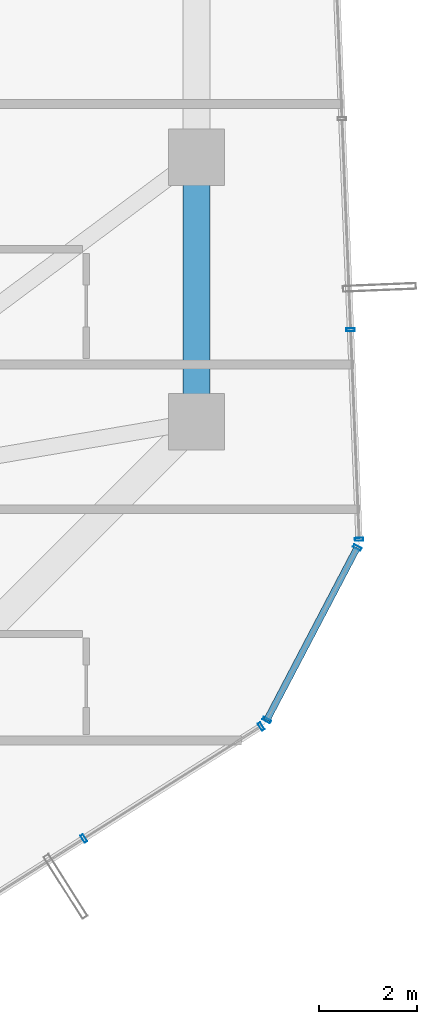
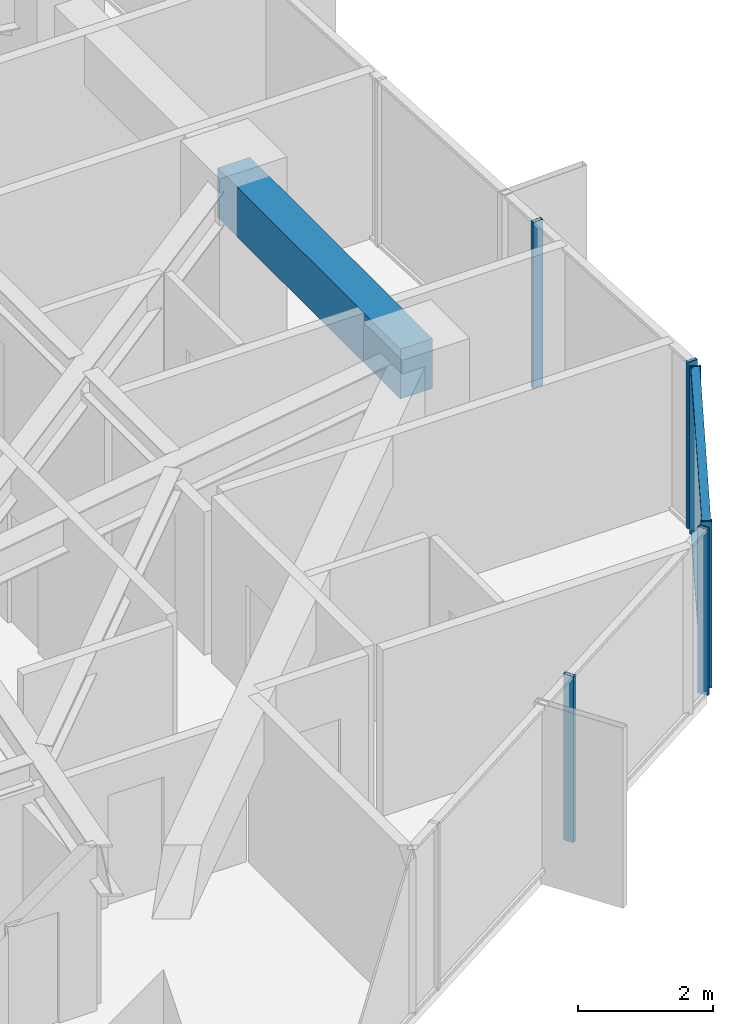
# One storey, part 13 of 32: 8 members, 1 beam, 3 elements without a shape of their own.
"""IFC4 building model written with IfcOpenShell, lengths in metres."""

from ifc_helpers import new_model, si_unit, direction, frame, origin, origin_2d, place, context, subcontext, project, spatial, rectangle, hollow_rectangle, extrude, source, transform, mapped, material, layer, layer_set, material_profile, profile_set, type_object, element, aggregate, save


model = new_model("IFC4")

# Units and contexts
model_context = context("Model", 3, precision=1e-05, world=origin(), true_north=direction((0.0, 1.0)))
body_context = subcontext(model_context, "Body", "Model", "MODEL_VIEW")
ifc_project = project(units=[si_unit("LENGTHUNIT", "METRE"), si_unit("AREAUNIT", "SQUARE_METRE"), si_unit("VOLUMEUNIT", "CUBIC_METRE"), si_unit("PLANEANGLEUNIT", "RADIAN"), si_unit("MASSUNIT", "GRAM", prefix="KILO")], contexts=[model_context])

# Site, building, storey
site_placement = place(None, origin())
site = spatial("IfcSite", under=ifc_project, at=site_placement, CompositionType="ELEMENT")
building_placement = place(site_placement, origin())
building = spatial("IfcBuilding", under=site, at=building_placement, Name="Veraguas Prism Commons", CompositionType="ELEMENT")
storey_placement = place(building_placement, frame((0.0, 0.0, 136.0)))
storey = spatial("IfcBuildingStorey", under=building, at=storey_placement, Name="L38", CompositionType="ELEMENT", Elevation=136.0)

# Beam
ifc_material_1 = material(Name="Concrete C50/60", Category="concrete")
ifc_material_profile_1 = material_profile(ifc_material_1, rectangle(XDim=0.550048828125, YDim=0.89990234375, at=origin_2d()), Name="RC550X900")
ifc_profile_set_1 = profile_set([ifc_material_profile_1], Name="Concrete C50/60")
beam_type = type_object("IfcBeamType", Name="Perimeter Spandrel Lower RC 550x900", PredefinedType="SPANDREL", material=ifc_profile_set_1)
beam_placement = place(storey_placement, frame((40.199951171875, 18.60009765625, 2.550048828125), z_axis=(0.0, 1.0, 0.0), x_axis=(-1.0, 0.0, 0.0)))
element("IfcBeam", 1, at=beam_placement, inside=storey, type_object=beam_type, Name="Perimeter Spandrel Beam L38-SP01", PredefinedType="SPANDREL", context=body_context, shape_type="SweptSolid", body=[
    extrude(rectangle(XDim=0.550048828125, YDim=0.89990234375, at=origin_2d()), origin(), (0.0, 0.0, 1.0), 5.39990234375),
])

# Curtain wall, members
ifc_material_2 = material(Name="Anodised aluminium EN AW-6063 T6", Category="aluminium")
ifc_layer = layer(ifc_material_2, 0.169921875, Name="Unitised Flush Curtain Wall Zone 2", Category="aluminium")
ifc_layer_set = layer_set([ifc_layer], Name="Anodised aluminium EN AW-6063 T6")
curtain_wall_type = type_object("IfcCurtainWallType", Name="Unitised Flush Curtain Wall Zone 2", PredefinedType="NOTDEFINED", material=ifc_layer_set)
curtain_wall_1_placement = place(storey_placement, origin())
curtain_wall_1 = element("IfcCurtainWall", 2, at=curtain_wall_1_placement, inside=storey, type_object=curtain_wall_type, Name="Tower Facade Curtain Wall L38-F5", PredefinedType="NOTDEFINED")
ifc_material_profile_2 = material_profile(ifc_material_2, hollow_rectangle(XDim=0.06005859375, YDim=0.169921875, WallThickness=0.00390625, at=origin_2d()), Name="AL60X170X4")
ifc_profile_set_2 = profile_set([ifc_material_profile_2], Name="Anodised aluminium EN AW-6063 T6")
member_type_1 = type_object("IfcMemberType", Name="Curtain Wall Mullion Lower AL 60x170x4", PredefinedType="MULLION", material=ifc_profile_set_2)
shared_shape_1 = source(origin(), body_context, "Body", "SweptSolid", [
    extrude(hollow_rectangle(XDim=0.06005859375, YDim=0.169921875, WallThickness=0.00390625, at=origin_2d()), origin(), (0.0, 0.0, 1.0), 3.0),
])
member_1_placement = place(storey_placement, frame((37.90185546875, 10.097900390625, 0.0), z_axis=(0.0, 0.0, 1.0), x_axis=(0.844887645301, 0.534943797813, 0.0)))
member_1 = element("IfcMember", 3, at=member_1_placement, type_object=member_type_1, Name="CW-Z2 Mullion 4", PredefinedType="MULLION", context=body_context, shape_type="MappedRepresentation", body=[
    mapped(shared_shape_1, transform((0.0, 0.0, 0.0), scale=1.0)),
])
member_2_placement = place(storey_placement, frame((41.516845703125, 12.38671875, 0.0), z_axis=(0.0, 0.0, 1.0), x_axis=(0.844887645301, 0.534943797813, 0.0)))
member_2 = element("IfcMember", 4, at=member_2_placement, type_object=member_type_1, Name="CW-Z2 Mullion 5", PredefinedType="MULLION", context=body_context, shape_type="MappedRepresentation", body=[
    mapped(shared_shape_1, transform((0.0, 0.0, 0.0), scale=1.0)),
])
aggregate(curtain_wall_1, [member_1, member_2])

curtain_wall_2_placement = place(storey_placement, origin())
curtain_wall_2 = element("IfcCurtainWall", 5, at=curtain_wall_2_placement, inside=storey, type_object=curtain_wall_type, Name="Tower Facade Curtain Wall L38-F6", PredefinedType="NOTDEFINED")
member_3_placement = place(storey_placement, frame((43.51708984375, 16.203125, 0.0), z_axis=(0.0, 0.0, 1.0), x_axis=(-0.040836327473, 0.999165849276, 0.0)))
member_3 = element("IfcMember", 6, at=member_3_placement, type_object=member_type_1, Name="CW-Z2 Mullion 1", PredefinedType="MULLION", context=body_context, shape_type="MappedRepresentation", body=[
    mapped(shared_shape_1, transform((0.0, 0.0, 0.0), scale=1.0)),
])
member_4_placement = place(storey_placement, frame((43.342529296875, 20.478271484375, 0.0), z_axis=(0.0, 0.0, 1.0), x_axis=(-0.040836327473, 0.999165849276, 0.0)))
member_4 = element("IfcMember", 7, at=member_4_placement, type_object=member_type_1, Name="CW-Z2 Mullion 2", PredefinedType="MULLION", context=body_context, shape_type="MappedRepresentation", body=[
    mapped(shared_shape_1, transform((0.0, 0.0, 0.0), scale=1.0)),
])
aggregate(curtain_wall_2, [member_3, member_4])

curtain_wall_3_placement = place(storey_placement, origin())
curtain_wall_3 = element("IfcCurtainWall", 8, at=curtain_wall_3_placement, inside=storey, type_object=curtain_wall_type, Name="Chamfer Curtain Wall L38-C6", PredefinedType="NOTDEFINED")
member_5_placement = place(storey_placement, frame((41.634521484375, 12.514404296875, 0.0), z_axis=(0.0, 0.0, 1.0), x_axis=(0.464200622938, 0.885730083978, 0.0)))
member_5 = element("IfcMember", 9, at=member_5_placement, type_object=member_type_1, Name="CW-Z2 Mullion 1", PredefinedType="MULLION", context=body_context, shape_type="MappedRepresentation", body=[
    mapped(shared_shape_1, transform((0.0, 0.0, 0.0), scale=1.0)),
])
member_6_placement = place(storey_placement, frame((43.47900390625, 16.03369140625, 0.0), z_axis=(0.0, 0.0, 1.0), x_axis=(0.464200622938, 0.885730083978, 0.0)))
member_6 = element("IfcMember", 10, at=member_6_placement, type_object=member_type_1, Name="CW-Z2 Mullion 2", PredefinedType="MULLION", context=body_context, shape_type="MappedRepresentation", body=[
    mapped(shared_shape_1, transform((0.0, 0.0, 0.0), scale=1.0)),
])
ifc_material_profile_3 = material_profile(ifc_material_2, hollow_rectangle(XDim=0.054931640625, YDim=0.135009765625, WallThickness=0.0029296875, at=origin_2d()), Name="AL55X135X3")
ifc_profile_set_3 = profile_set([ifc_material_profile_3], Name="Anodised aluminium EN AW-6063 T6")
member_type_2 = type_object("IfcMemberType", Name="Curtain Wall Transom Standard AL 55x135x3", PredefinedType="USERDEFINED", material=ifc_profile_set_3)
shared_shape_2 = source(origin(), body_context, "Body", "SweptSolid", [
    extrude(hollow_rectangle(XDim=0.054931640625, YDim=0.135009765625, WallThickness=0.0029296875, at=origin_2d()), origin(), (0.0, 0.0, 1.0), 3.973388671875),
])
member_7_placement = place(storey_placement, frame((41.634521484375, 12.514404296875, 0.027587890625), z_axis=(0.464213619432, 0.885723272549, 0.0), x_axis=(0.0, 0.0, 1.0)))
member_7 = element("IfcMember", 11, at=member_7_placement, type_object=member_type_2, Name="CW-Z2 Transom 1", ObjectType="TRANSOM", PredefinedType="USERDEFINED", context=body_context, shape_type="MappedRepresentation", body=[
    mapped(shared_shape_2, transform((0.0, 0.0, 0.0), scale=1.0)),
])
member_8_placement = place(storey_placement, frame((41.634521484375, 12.514404296875, 2.972412109375), z_axis=(0.464213619432, 0.885723272549, 0.0), x_axis=(0.0, 0.0, 1.0)))
member_8 = element("IfcMember", 12, at=member_8_placement, type_object=member_type_2, Name="CW-Z2 Transom 2", ObjectType="TRANSOM", PredefinedType="USERDEFINED", context=body_context, shape_type="MappedRepresentation", body=[
    mapped(shared_shape_2, transform((0.0, 0.0, 0.0), scale=1.0)),
])
aggregate(curtain_wall_3, [member_5, member_6, member_7, member_8])

save(model, "model.ifc")
